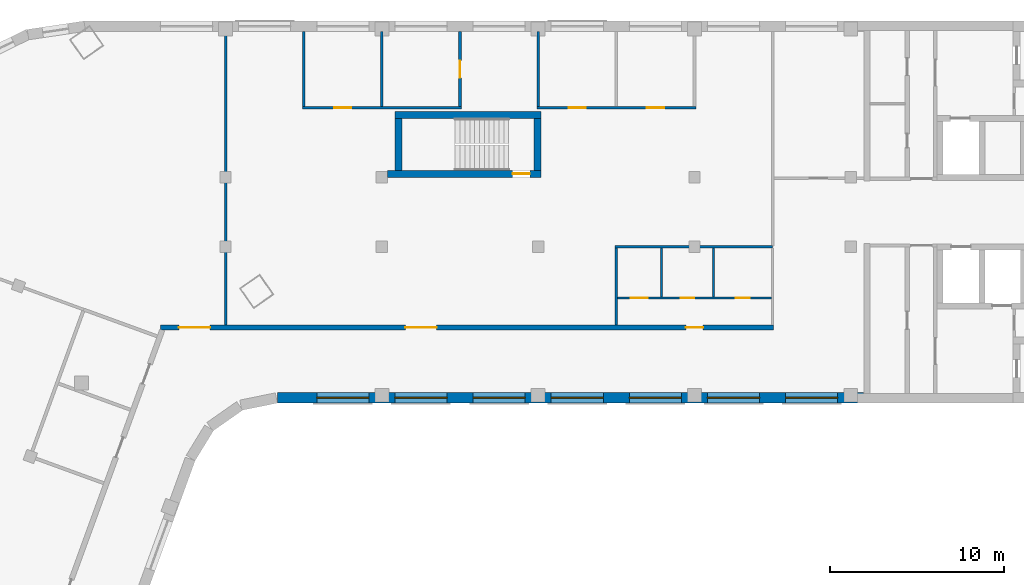
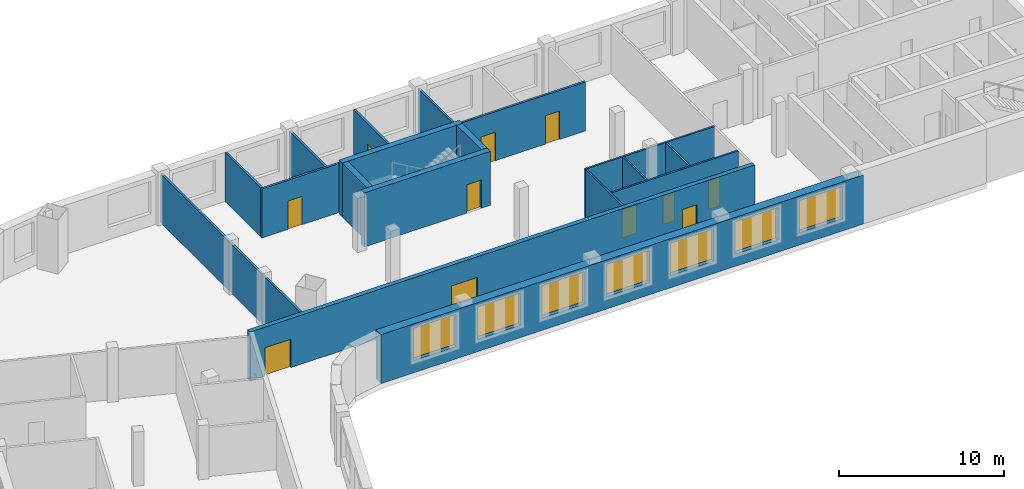
# One storey, part 4 of 8: 18 walls, 11 doors, 7 windows, 18 openings.
"""IFC4 building model written with IfcOpenShell, lengths in metres."""

from ifc_helpers import new_model, si_unit, direction, frame, frame_2d, origin, place, context, subcontext, project, spatial, rectangle, extrude, material, layer, layer_set, type_object, element, fill, save


model = new_model("IFC4")

# Units and contexts
model_context = context("Model", 3, precision=1e-05, world=origin(), true_north=direction((0.0, 1.0)))
body_context = subcontext(model_context, "Body", "Model", "MODEL_VIEW")
ifc_project = project(units=[si_unit("LENGTHUNIT", "METRE"), si_unit("AREAUNIT", "SQUARE_METRE"), si_unit("VOLUMEUNIT", "CUBIC_METRE"), si_unit("PLANEANGLEUNIT", "RADIAN"), si_unit("MASSUNIT", "GRAM", prefix="KILO")], contexts=[model_context])

# Site, building, storey
site_placement = place(None, origin())
site = spatial("IfcSite", under=ifc_project, at=site_placement, CompositionType="ELEMENT")
building_placement = place(site_placement, origin())
building = spatial("IfcBuilding", under=site, at=building_placement, Name="Skarvind Civic Tower", CompositionType="ELEMENT")
storey_placement = place(building_placement, frame((0.0, 0.0, 134.5)))
storey = spatial("IfcBuildingStorey", under=building, at=storey_placement, Name="L31", CompositionType="ELEMENT", Elevation=134.5)

# Wall, openings, doors
ifc_material_1 = material(Name="Fire-rated gypsum board on steel studs", Category="steel")
ifc_layer_1 = layer(ifc_material_1, 0.300048828125)
ifc_layer_set_1 = layer_set([ifc_layer_1], Name="CORRIDOR WALL 300")
wall_type_1 = type_object("IfcWallType", Name="CORRIDOR WALL 300", PredefinedType="PARTITIONING", material=ifc_layer_set_1)
wall_1_placement = place(storey_placement, frame((50.506103515625, 121.35009765625, 0.0), z_axis=(0.0, 0.0, 1.0), x_axis=(1.0, 0.0, 0.0)))
wall_1 = element("IfcWall", 1, at=wall_1_placement, inside=storey, type_object=wall_type_1, Name="Partition 31.014", PredefinedType="PARTITIONING", context=body_context, shape_type="SweptSolid", body=[
    extrude(rectangle(XDim=35.305908203125, YDim=0.300048828125, at=frame_2d((17.65283203125, 0.0))), origin(), (0.0, 0.0, 1.0), 3.625),
])
opening_1_placement = place(wall_1_placement, frame((30.243896484375, 0.0, 0.0)))
opening_1 = element("IfcOpeningElement", 2, at=opening_1_placement, cuts=wall_1, Name="Opening L31-D002", PredefinedType="OPENING", context=body_context, shape_type="SweptSolid", body=[
    extrude(rectangle(XDim=1.0, YDim=2.10009765625, at=frame_2d((0.5, 1.050048828125))), frame((0.0, 0.159912109375, 0.0), z_axis=(0.0, -1.0, 0.0), x_axis=(1.0, 0.0, 0.0)), (0.0, 0.0, 1.0), 0.320068359375),
])
opening_2_placement = place(wall_1_placement, frame((14.093994140625, 0.0, 0.0)))
opening_2 = element("IfcOpeningElement", 3, at=opening_2_placement, cuts=wall_1, Name="Opening L31-D010", PredefinedType="OPENING", context=body_context, shape_type="SweptSolid", body=[
    extrude(rectangle(XDim=1.800048828125, YDim=2.10009765625, at=frame_2d((0.89990234375, 1.050048828125))), frame((0.0, 0.159912109375, 0.0), z_axis=(0.0, -1.0, 0.0), x_axis=(1.0, 0.0, 0.0)), (0.0, 0.0, 1.0), 0.320068359375),
])
opening_3_placement = place(wall_1_placement, frame((1.047119140625, 0.0, 0.0)))
opening_3 = element("IfcOpeningElement", 4, at=opening_3_placement, cuts=wall_1, Name="Opening L31-D017", PredefinedType="OPENING", context=body_context, shape_type="SweptSolid", body=[
    extrude(rectangle(XDim=1.800048828125, YDim=2.10009765625, at=frame_2d((0.89990234375, 1.050048828125))), frame((0.0, 0.159912109375, 0.0), z_axis=(0.0, -1.0, 0.0), x_axis=(1.0, 0.0, 0.0)), (0.0, 0.0, 1.0), 0.320068359375),
])
ifc_material_2 = material(Name="Fire-rated timber door leaf", Category="wood")
door_type_1 = type_object("IfcDoorType", Name="FD1 1000x2100", OperationType="NOTDEFINED", PredefinedType="DOOR", material=ifc_material_2)
door_1_placement = place(opening_1_placement, origin())
door_1 = element("IfcDoor", 5, at=door_1_placement, inside=storey, type_object=door_type_1, Name="Door L31-D002", OperationType="SINGLE_SWING_LEFT", OverallHeight=2.10009765625, OverallWidth=1.0, PredefinedType="DOOR", context=body_context, shape_type="SweptSolid", body=[
    extrude(rectangle(XDim=1.0, YDim=2.10009765625, at=frame_2d((0.5, 1.050048828125))), frame((0.0, 0.02490234375, 0.0), z_axis=(0.0, -1.0, 0.0), x_axis=(1.0, 0.0, 0.0)), (0.0, 0.0, 1.0), 0.050048828125),
])
fill(opening_1, door_1)
door_type_2 = type_object("IfcDoorType", Name="FD4 1800x2100", OperationType="NOTDEFINED", PredefinedType="DOOR", material=ifc_material_2)
door_2_placement = place(opening_2_placement, origin())
door_2 = element("IfcDoor", 6, at=door_2_placement, inside=storey, type_object=door_type_2, Name="Door L31-D010", OperationType="DOUBLE_DOOR_SINGLE_SWING", OverallHeight=2.10009765625, OverallWidth=1.800048828125, PredefinedType="DOOR", context=body_context, shape_type="SweptSolid", body=[
    extrude(rectangle(XDim=1.800048828125, YDim=2.10009765625, at=frame_2d((0.89990234375, 1.050048828125))), frame((0.0, 0.02490234375, 0.0), z_axis=(0.0, -1.0, 0.0), x_axis=(1.0, 0.0, 0.0)), (0.0, 0.0, 1.0), 0.050048828125),
])
fill(opening_2, door_2)
door_3_placement = place(opening_3_placement, origin())
door_3 = element("IfcDoor", 7, at=door_3_placement, inside=storey, type_object=door_type_2, Name="Door L31-D017", OperationType="DOUBLE_DOOR_SINGLE_SWING", OverallHeight=2.10009765625, OverallWidth=1.800048828125, PredefinedType="DOOR", context=body_context, shape_type="SweptSolid", body=[
    extrude(rectangle(XDim=1.800048828125, YDim=2.10009765625, at=frame_2d((0.89990234375, 1.050048828125))), frame((0.0, 0.02490234375, 0.0), z_axis=(0.0, -1.0, 0.0), x_axis=(1.0, 0.0, 0.0)), (0.0, 0.0, 1.0), 0.050048828125),
])
fill(opening_3, door_3)

# Wall, opening, door
ifc_material_3 = material(Name="Concrete C60", Category="concrete")
ifc_layer_2 = layer(ifc_material_3, 0.39990234375)
ifc_layer_set_2 = layer_set([ifc_layer_2], Name="Core wall 400 C60")
wall_type_2 = type_object("IfcWallType", Name="Core wall 400 C60", PredefinedType="SHEAR", material=ifc_layer_set_2)
wall_2_placement = place(storey_placement, frame((63.574951171875, 130.199951171875, 0.0), z_axis=(0.0, 0.0, 1.0), x_axis=(1.0, 0.0, 0.0)))
wall_2 = element("IfcWall", 8, at=wall_2_placement, inside=storey, type_object=wall_type_2, Name="Core wall CM inner L31", PredefinedType="SHEAR", context=body_context, shape_type="SweptSolid", body=[
    extrude(rectangle(XDim=8.824951171875, YDim=0.39990234375, at=frame_2d((4.41259765625, 0.0))), origin(), (0.0, 0.0, 1.0), 4.0),
])
opening_4_placement = place(wall_2_placement, frame((7.199951171875, 0.0, 0.0)))
opening_4 = element("IfcOpeningElement", 9, at=opening_4_placement, cuts=wall_2, Name="Opening D-L31-CM-01", PredefinedType="OPENING", context=body_context, shape_type="SweptSolid", body=[
    extrude(rectangle(XDim=1.0, YDim=2.10009765625, at=frame_2d((0.5, 1.050048828125))), frame((0.0, 0.2099609375, 0.0), z_axis=(0.0, -1.0, 0.0), x_axis=(1.0, 0.0, 0.0)), (0.0, 0.0, 1.0), 0.419921875),
])
ifc_material_4 = material(Name="Fire-rated steel door", Category="steel")
door_type_3 = type_object("IfcDoorType", Name="Fire door 1000", OperationType="NOTDEFINED", PredefinedType="DOOR", material=ifc_material_4)
door_4_placement = place(opening_4_placement, origin())
door_4 = element("IfcDoor", 10, at=door_4_placement, inside=storey, type_object=door_type_3, Name="Fire door", OperationType="SINGLE_SWING_LEFT", OverallHeight=2.10009765625, OverallWidth=1.0, PredefinedType="DOOR", context=body_context, shape_type="SweptSolid", body=[
    extrude(rectangle(XDim=1.0, YDim=2.10009765625, at=frame_2d((0.5, 1.050048828125))), frame((0.0, 0.02490234375, 0.0), z_axis=(0.0, -1.0, 0.0), x_axis=(1.0, 0.0, 0.0)), (0.0, 0.0, 1.0), 0.050048828125),
])
fill(opening_4, door_4)

# Walls
wall_3_placement = place(storey_placement, frame((64.0, 133.60009765625, 0.0), z_axis=(0.0, 0.0, 1.0), x_axis=(1.0, 0.0, 0.0)))
element("IfcWall", 11, at=wall_3_placement, inside=storey, type_object=wall_type_2, Name="Core wall CM outer L31", PredefinedType="SHEAR", context=body_context, shape_type="SweptSolid", body=[
    extrude(rectangle(XDim=8.39990234375, YDim=0.39990234375, at=frame_2d((4.199951171875, 0.0))), origin(), (0.0, 0.0, 1.0), 4.0),
])
for number, where, z_axis, x_axis, name in (
    (12, (64.199951171875, 130.39990234375, 0.0), (0.0, 0.0, 1.0), (0.0, 1.0, 0.0), "Core wall CM west L31"),
    (13, (72.199951171875, 130.39990234375, 0.0), (0.0, 0.0, 1.0), (0.0, 1.0, 0.0), "Core wall CM end L31"),
):
    element("IfcWall", number, at=place(storey_placement, frame(where, z_axis=z_axis, x_axis=x_axis)), inside=storey, type_object=wall_type_2, Name=name, PredefinedType="SHEAR", context=body_context, shape_type="SweptSolid", body=[
        extrude(rectangle(XDim=3.0, YDim=0.39990234375, at=frame_2d((1.5, 0.0))), origin(), (0.0, 0.0, 1.0), 4.0),
    ])
ifc_material_5 = material(Name="Plasterboard partition on steel studs", Category="steel")
ifc_layer_3 = layer(ifc_material_5, 0.14990234375)
ifc_layer_set_3 = layer_set([ifc_layer_3], Name="PARTITION 150")
wall_type_3 = type_object("IfcWallType", Name="PARTITION 150", PredefinedType="PARTITIONING", material=ifc_layer_set_3)
wall_4_placement = place(storey_placement, frame((54.25, 138.39990234375, 0.0), z_axis=(0.0, 0.0, 1.0), x_axis=(0.0, -1.0, 0.0)))
element("IfcWall", 14, at=wall_4_placement, inside=storey, type_object=wall_type_3, Name="Partition 31.015", PredefinedType="PARTITIONING", context=body_context, shape_type="SweptSolid", body=[
    extrude(rectangle(XDim=16.89990234375, YDim=0.14990234375, at=frame_2d((8.449951171875, 0.0))), origin(), (0.0, 0.0, 1.0), 3.625),
])
wall_5_placement = place(storey_placement, frame((58.75, 134.074951171875, 0.0), z_axis=(0.0, 0.0, 1.0), x_axis=(0.0, 1.0, 0.0)))
element("IfcWall", 15, at=wall_5_placement, inside=storey, type_object=wall_type_3, Name="Partition 31.016", PredefinedType="PARTITIONING", context=body_context, shape_type="SweptSolid", body=[
    extrude(rectangle(XDim=4.324951171875, YDim=0.14990234375, at=frame_2d((2.16259765625, 0.0))), origin(), (0.0, 0.0, 1.0), 3.625),
])

# Wall, opening, door
wall_6_placement = place(storey_placement, frame((67.824951171875, 134.0, 0.0), z_axis=(0.0, 0.0, 1.0), x_axis=(-1.0, 0.0, 0.0)))
wall_6 = element("IfcWall", 16, at=wall_6_placement, inside=storey, type_object=wall_type_3, Name="Partition 31.017", PredefinedType="PARTITIONING", context=body_context, shape_type="SweptSolid", body=[
    extrude(rectangle(XDim=9.14990234375, YDim=0.14990234375, at=frame_2d((4.574951171875, 0.0))), origin(), (0.0, 0.0, 1.0), 3.625),
])
opening_5_placement = place(wall_6_placement, frame((6.324951171875, 0.0, 0.0)))
opening_5 = element("IfcOpeningElement", 17, at=opening_5_placement, cuts=wall_6, Name="Opening L31-D009", PredefinedType="OPENING", context=body_context, shape_type="SweptSolid", body=[
    extrude(rectangle(XDim=1.0, YDim=2.10009765625, at=frame_2d((0.5, 1.050048828125))), frame((0.0, 0.0849609375, 0.0), z_axis=(0.0, -1.0, 0.0), x_axis=(1.0, 0.0, 0.0)), (0.0, 0.0, 1.0), 0.169921875),
])
ifc_material_6 = material(Name="Timber door leaf", Category="wood")
door_type_4 = type_object("IfcDoorType", Name="D1 1000x2100", OperationType="NOTDEFINED", PredefinedType="DOOR", material=ifc_material_6)
door_5_placement = place(opening_5_placement, origin())
door_5 = element("IfcDoor", 18, at=door_5_placement, inside=storey, type_object=door_type_4, Name="Door L31-D009", OperationType="SINGLE_SWING_RIGHT", OverallHeight=2.10009765625, OverallWidth=1.0, PredefinedType="DOOR", context=body_context, shape_type="SweptSolid", body=[
    extrude(rectangle(XDim=1.0, YDim=2.10009765625, at=frame_2d((0.5, 1.050048828125))), frame((0.0, 0.02490234375, 0.0), z_axis=(0.0, -1.0, 0.0), x_axis=(1.0, 0.0, 0.0)), (0.0, 0.0, 1.0), 0.050048828125),
])
fill(opening_5, door_5)

# Wall
wall_7_placement = place(storey_placement, frame((63.25, 134.074951171875, 0.0), z_axis=(0.0, 0.0, 1.0), x_axis=(0.0, 1.0, 0.0)))
element("IfcWall", 19, at=wall_7_placement, inside=storey, type_object=wall_type_3, Name="Partition 31.018", PredefinedType="PARTITIONING", context=body_context, shape_type="SweptSolid", body=[
    extrude(rectangle(XDim=4.324951171875, YDim=0.14990234375, at=frame_2d((2.16259765625, 0.0))), origin(), (0.0, 0.0, 1.0), 3.625),
])

# Wall, opening, door
wall_8_placement = place(storey_placement, frame((67.75, 138.39990234375, 0.0), z_axis=(0.0, 0.0, 1.0), x_axis=(0.0, -1.0, 0.0)))
wall_8 = element("IfcWall", 20, at=wall_8_placement, inside=storey, type_object=wall_type_3, Name="Partition 31.019", PredefinedType="PARTITIONING", context=body_context, shape_type="SweptSolid", body=[
    extrude(rectangle(XDim=4.324951171875, YDim=0.14990234375, at=frame_2d((2.16259765625, 0.0))), origin(), (0.0, 0.0, 1.0), 3.625),
])
opening_6_placement = place(wall_8_placement, frame((1.672607421875, 0.0, 0.0)))
opening_6 = element("IfcOpeningElement", 21, at=opening_6_placement, cuts=wall_8, Name="Opening L31-D008", PredefinedType="OPENING", context=body_context, shape_type="SweptSolid", body=[
    extrude(rectangle(XDim=1.0, YDim=2.10009765625, at=frame_2d((0.5, 1.050048828125))), frame((0.0, 0.0849609375, 0.0), z_axis=(0.0, -1.0, 0.0), x_axis=(1.0, 0.0, 0.0)), (0.0, 0.0, 1.0), 0.169921875),
])
door_6_placement = place(opening_6_placement, origin())
door_6 = element("IfcDoor", 22, at=door_6_placement, inside=storey, type_object=door_type_4, Name="Door L31-D008", OperationType="SINGLE_SWING_LEFT", OverallHeight=2.10009765625, OverallWidth=1.0, PredefinedType="DOOR", context=body_context, shape_type="SweptSolid", body=[
    extrude(rectangle(XDim=1.0, YDim=2.10009765625, at=frame_2d((0.5, 1.050048828125))), frame((0.0, 0.02490234375, 0.0), z_axis=(0.0, -1.0, 0.0), x_axis=(1.0, 0.0, 0.0)), (0.0, 0.0, 1.0), 0.050048828125),
])
fill(opening_6, door_6)

# Wall
wall_9_placement = place(storey_placement, frame((72.25, 134.074951171875, 0.0), z_axis=(0.0, 0.0, 1.0), x_axis=(0.0, 1.0, 0.0)))
element("IfcWall", 23, at=wall_9_placement, inside=storey, type_object=wall_type_3, Name="Partition 31.020", PredefinedType="PARTITIONING", context=body_context, shape_type="SweptSolid", body=[
    extrude(rectangle(XDim=4.324951171875, YDim=0.14990234375, at=frame_2d((2.16259765625, 0.0))), origin(), (0.0, 0.0, 1.0), 3.625),
])

# Wall, openings, doors
wall_10_placement = place(storey_placement, frame((81.324951171875, 134.0, 0.0), z_axis=(0.0, 0.0, 1.0), x_axis=(-1.0, 0.0, 0.0)))
wall_10 = element("IfcWall", 24, at=wall_10_placement, inside=storey, type_object=wall_type_3, Name="Partition 31.021", PredefinedType="PARTITIONING", context=body_context, shape_type="SweptSolid", body=[
    extrude(rectangle(XDim=9.14990234375, YDim=0.14990234375, at=frame_2d((4.574951171875, 0.0))), origin(), (0.0, 0.0, 1.0), 3.625),
])
opening_7_placement = place(wall_10_placement, frame((1.824951171875, 0.0, 0.0)))
opening_7 = element("IfcOpeningElement", 25, at=opening_7_placement, cuts=wall_10, Name="Opening L31-D006", PredefinedType="OPENING", context=body_context, shape_type="SweptSolid", body=[
    extrude(rectangle(XDim=1.0, YDim=2.10009765625, at=frame_2d((0.5, 1.050048828125))), frame((0.0, 0.0849609375, 0.0), z_axis=(0.0, -1.0, 0.0), x_axis=(1.0, 0.0, 0.0)), (0.0, 0.0, 1.0), 0.169921875),
])
opening_8_placement = place(wall_10_placement, frame((6.324951171875, 0.0, 0.0)))
opening_8 = element("IfcOpeningElement", 26, at=opening_8_placement, cuts=wall_10, Name="Opening L31-D007", PredefinedType="OPENING", context=body_context, shape_type="SweptSolid", body=[
    extrude(rectangle(XDim=1.0, YDim=2.10009765625, at=frame_2d((0.5, 1.050048828125))), frame((0.0, 0.0849609375, 0.0), z_axis=(0.0, -1.0, 0.0), x_axis=(1.0, 0.0, 0.0)), (0.0, 0.0, 1.0), 0.169921875),
])
door_7_placement = place(opening_7_placement, origin())
door_7 = element("IfcDoor", 27, at=door_7_placement, inside=storey, type_object=door_type_4, Name="Door L31-D006", OperationType="SINGLE_SWING_LEFT", OverallHeight=2.10009765625, OverallWidth=1.0, PredefinedType="DOOR", context=body_context, shape_type="SweptSolid", body=[
    extrude(rectangle(XDim=1.0, YDim=2.10009765625, at=frame_2d((0.5, 1.050048828125))), frame((0.0, 0.02490234375, 0.0), z_axis=(0.0, -1.0, 0.0), x_axis=(1.0, 0.0, 0.0)), (0.0, 0.0, 1.0), 0.050048828125),
])
fill(opening_7, door_7)
door_8_placement = place(opening_8_placement, origin())
door_8 = element("IfcDoor", 28, at=door_8_placement, inside=storey, type_object=door_type_4, Name="Door L31-D007", OperationType="SINGLE_SWING_RIGHT", OverallHeight=2.10009765625, OverallWidth=1.0, PredefinedType="DOOR", context=body_context, shape_type="SweptSolid", body=[
    extrude(rectangle(XDim=1.0, YDim=2.10009765625, at=frame_2d((0.5, 1.050048828125))), frame((0.0, 0.02490234375, 0.0), z_axis=(0.0, -1.0, 0.0), x_axis=(1.0, 0.0, 0.0)), (0.0, 0.0, 1.0), 0.050048828125),
])
fill(opening_8, door_8)

# Wall
ifc_material_7 = material(Name="Moisture-resistant gypsum board on steel studs", Category="steel")
ifc_layer_4 = layer(ifc_material_7, 0.125)
ifc_layer_set_4 = layer_set([ifc_layer_4], Name="WC PARTITION 125")
wall_type_4 = type_object("IfcWallType", Name="WC PARTITION 125", PredefinedType="PARTITIONING", material=ifc_layer_set_4)
wall_11_placement = place(storey_placement, frame((76.75, 121.5, 0.0), z_axis=(0.0, 0.0, 1.0), x_axis=(0.0, 1.0, 0.0)))
element("IfcWall", 29, at=wall_11_placement, inside=storey, type_object=wall_type_4, Name="Partition 31.022", PredefinedType="PARTITIONING", context=body_context, shape_type="SweptSolid", body=[
    extrude(rectangle(XDim=4.43798828125, YDim=0.125, at=frame_2d((2.218994140625, 0.0))), origin(), (0.0, 0.0, 1.0), 3.625),
])

# Wall, openings, doors
wall_12_placement = place(storey_placement, frame((76.81201171875, 123.050048828125, 0.0), z_axis=(0.0, 0.0, 1.0), x_axis=(1.0, 0.0, 0.0)))
wall_12 = element("IfcWall", 30, at=wall_12_placement, inside=storey, type_object=wall_type_4, Name="Partition 31.023", PredefinedType="PARTITIONING", context=body_context, shape_type="SweptSolid", body=[
    extrude(rectangle(XDim=8.8759765625, YDim=0.125, at=frame_2d((4.43798828125, 0.0))), origin(), (0.0, 0.0, 1.0), 3.625),
])
opening_9_placement = place(wall_12_placement, frame((6.81689453125, 0.0, 0.0)))
opening_9 = element("IfcOpeningElement", 31, at=opening_9_placement, cuts=wall_12, Name="Opening L31-D003", PredefinedType="OPENING", context=body_context, shape_type="SweptSolid", body=[
    extrude(rectangle(XDim=0.800048828125, YDim=2.10009765625, at=frame_2d((0.39990234375, 1.050048828125))), frame((0.0, 0.072509765625, 0.0), z_axis=(0.0, -1.0, 0.0), x_axis=(1.0, 0.0, 0.0)), (0.0, 0.0, 1.0), 0.14501953125),
])
opening_10_placement = place(wall_12_placement, frame((3.637939453125, 0.0, 0.0)))
opening_10 = element("IfcOpeningElement", 32, at=opening_10_placement, cuts=wall_12, Name="Opening L31-D004", PredefinedType="OPENING", context=body_context, shape_type="SweptSolid", body=[
    extrude(rectangle(XDim=0.800048828125, YDim=2.10009765625, at=frame_2d((0.39990234375, 1.050048828125))), frame((0.0, 0.072509765625, 0.0), z_axis=(0.0, -1.0, 0.0), x_axis=(1.0, 0.0, 0.0)), (0.0, 0.0, 1.0), 0.14501953125),
])
opening_11_placement = place(wall_12_placement, frame((0.759033203125, 0.0, 0.0)))
opening_11 = element("IfcOpeningElement", 33, at=opening_11_placement, cuts=wall_12, Name="Opening L31-D005", PredefinedType="OPENING", context=body_context, shape_type="SweptSolid", body=[
    extrude(rectangle(XDim=1.0, YDim=2.10009765625, at=frame_2d((0.5, 1.050048828125))), frame((0.0, 0.072509765625, 0.0), z_axis=(0.0, -1.0, 0.0), x_axis=(1.0, 0.0, 0.0)), (0.0, 0.0, 1.0), 0.14501953125),
])
door_9_placement = place(opening_11_placement, origin())
door_9 = element("IfcDoor", 34, at=door_9_placement, inside=storey, type_object=door_type_4, Name="Door L31-D005", OperationType="SINGLE_SWING_LEFT", OverallHeight=2.10009765625, OverallWidth=1.0, PredefinedType="DOOR", context=body_context, shape_type="SweptSolid", body=[
    extrude(rectangle(XDim=1.0, YDim=2.10009765625, at=frame_2d((0.5, 1.050048828125))), frame((0.0, 0.02490234375, 0.0), z_axis=(0.0, -1.0, 0.0), x_axis=(1.0, 0.0, 0.0)), (0.0, 0.0, 1.0), 0.050048828125),
])
fill(opening_11, door_9)
door_type_5 = type_object("IfcDoorType", Name="DOOR 800X2100 TIMBER", OperationType="NOTDEFINED", PredefinedType="DOOR", material=ifc_material_6)
door_10_placement = place(opening_9_placement, origin())
door_10 = element("IfcDoor", 35, at=door_10_placement, inside=storey, type_object=door_type_5, Name="Door L31-D003", OperationType="SINGLE_SWING_RIGHT", OverallHeight=2.10009765625, OverallWidth=0.800048828125, PredefinedType="DOOR", context=body_context, shape_type="SweptSolid", body=[
    extrude(rectangle(XDim=0.800048828125, YDim=2.10009765625, at=frame_2d((0.39990234375, 1.050048828125))), frame((0.0, 0.02490234375, 0.0), z_axis=(0.0, -1.0, 0.0), x_axis=(1.0, 0.0, 0.0)), (0.0, 0.0, 1.0), 0.050048828125),
])
fill(opening_9, door_10)
door_11_placement = place(opening_10_placement, origin())
door_11 = element("IfcDoor", 36, at=door_11_placement, inside=storey, type_object=door_type_5, Name="Door L31-D004", OperationType="SINGLE_SWING_LEFT", OverallHeight=2.10009765625, OverallWidth=0.800048828125, PredefinedType="DOOR", context=body_context, shape_type="SweptSolid", body=[
    extrude(rectangle(XDim=0.800048828125, YDim=2.10009765625, at=frame_2d((0.39990234375, 1.050048828125))), frame((0.0, 0.02490234375, 0.0), z_axis=(0.0, -1.0, 0.0), x_axis=(1.0, 0.0, 0.0)), (0.0, 0.0, 1.0), 0.050048828125),
])
fill(opening_10, door_11)

# Walls
wall_13_placement = place(storey_placement, frame((76.68798828125, 126.0, 0.0), z_axis=(0.0, 0.0, 1.0), x_axis=(1.0, 0.0, 0.0)))
element("IfcWall", 37, at=wall_13_placement, inside=storey, type_object=wall_type_4, Name="Partition 31.024", PredefinedType="PARTITIONING", context=body_context, shape_type="SweptSolid", body=[
    extrude(rectangle(XDim=9.06201171875, YDim=0.125, at=frame_2d((4.531005859375, 0.0))), origin(), (0.0, 0.0, 1.0), 3.625),
])
for number, where, z_axis, x_axis, name in (
    (38, (79.35009765625, 125.93798828125, 0.0), (0.0, 0.0, 1.0), (0.0, -1.0, 0.0), "Partition 31.026"),
    (39, (82.35009765625, 125.93798828125, 0.0), (0.0, 0.0, 1.0), (0.0, -1.0, 0.0), "Partition 31.028"),
):
    element("IfcWall", number, at=place(storey_placement, frame(where, z_axis=z_axis, x_axis=x_axis)), inside=storey, type_object=wall_type_4, Name=name, PredefinedType="PARTITIONING", context=body_context, shape_type="SweptSolid", body=[
        extrude(rectangle(XDim=2.825927734375, YDim=0.125, at=frame_2d((1.4130859375, 0.0))), origin(), (0.0, 0.0, 1.0), 3.625),
    ])

# Wall, openings, windows
ifc_material_8 = material(Name="Limestone masonry cladding on insulated backing", Category="masonry")
ifc_layer_5 = layer(ifc_material_8, 0.60009765625)
ifc_layer_set_5 = layer_set([ifc_layer_5], Name="WX1 STONE FACADE WALL 600")
wall_type_5 = type_object("IfcWallType", Name="WX1 STONE FACADE WALL 600", PredefinedType="SOLIDWALL", material=ifc_layer_set_5)
wall_14_placement = place(storey_placement, frame((90.97998046875, 117.300048828125, 0.0), z_axis=(0.0, 0.0, 1.0), x_axis=(-1.0, 0.0, 0.0)))
wall_14 = element("IfcWall", 40, at=wall_14_placement, inside=storey, type_object=wall_type_5, Name="STONE FACADE WALL", PredefinedType="SOLIDWALL", context=body_context, shape_type="SweptSolid", body=[
    extrude(rectangle(XDim=33.744873046875, YDim=0.60009765625, at=frame_2d((16.87255859375, 0.0))), origin(), (0.0, 0.0, 1.0), 3.625),
])
opening_12_placement = place(wall_14_placement, frame((1.47998046875, 0.0, 0.89990234375)))
opening_12 = element("IfcOpeningElement", 41, at=opening_12_placement, cuts=wall_14, Name="Opening WN1", PredefinedType="OPENING", context=body_context, shape_type="SweptSolid", body=[
    extrude(rectangle(XDim=3.0, YDim=2.39990234375, at=frame_2d((1.5, 1.199951171875))), frame((0.0, 0.31005859375, 0.0), z_axis=(0.0, -1.0, 0.0), x_axis=(1.0, 0.0, 0.0)), (0.0, 0.0, 1.0), 0.6201171875),
])
opening_13_placement = place(wall_14_placement, frame((5.97998046875, 0.0, 0.89990234375)))
opening_13 = element("IfcOpeningElement", 42, at=opening_13_placement, cuts=wall_14, Name="Opening WN1", PredefinedType="OPENING", context=body_context, shape_type="SweptSolid", body=[
    extrude(rectangle(XDim=3.0, YDim=2.39990234375, at=frame_2d((1.5, 1.199951171875))), frame((0.0, 0.31005859375, 0.0), z_axis=(0.0, -1.0, 0.0), x_axis=(1.0, 0.0, 0.0)), (0.0, 0.0, 1.0), 0.6201171875),
])
opening_14_placement = place(wall_14_placement, frame((10.47998046875, 0.0, 0.89990234375)))
opening_14 = element("IfcOpeningElement", 43, at=opening_14_placement, cuts=wall_14, Name="Opening WN1", PredefinedType="OPENING", context=body_context, shape_type="SweptSolid", body=[
    extrude(rectangle(XDim=3.0, YDim=2.39990234375, at=frame_2d((1.5, 1.199951171875))), frame((0.0, 0.31005859375, 0.0), z_axis=(0.0, -1.0, 0.0), x_axis=(1.0, 0.0, 0.0)), (0.0, 0.0, 1.0), 0.6201171875),
])
opening_15_placement = place(wall_14_placement, frame((14.97998046875, 0.0, 0.89990234375)))
opening_15 = element("IfcOpeningElement", 44, at=opening_15_placement, cuts=wall_14, Name="Opening WN1", PredefinedType="OPENING", context=body_context, shape_type="SweptSolid", body=[
    extrude(rectangle(XDim=3.0, YDim=2.39990234375, at=frame_2d((1.5, 1.199951171875))), frame((0.0, 0.31005859375, 0.0), z_axis=(0.0, -1.0, 0.0), x_axis=(1.0, 0.0, 0.0)), (0.0, 0.0, 1.0), 0.6201171875),
])
opening_16_placement = place(wall_14_placement, frame((19.47998046875, 0.0, 0.89990234375)))
opening_16 = element("IfcOpeningElement", 45, at=opening_16_placement, cuts=wall_14, Name="Opening WN1", PredefinedType="OPENING", context=body_context, shape_type="SweptSolid", body=[
    extrude(rectangle(XDim=3.0, YDim=2.39990234375, at=frame_2d((1.5, 1.199951171875))), frame((0.0, 0.31005859375, 0.0), z_axis=(0.0, -1.0, 0.0), x_axis=(1.0, 0.0, 0.0)), (0.0, 0.0, 1.0), 0.6201171875),
])
opening_17_placement = place(wall_14_placement, frame((23.97998046875, 0.0, 0.89990234375)))
opening_17 = element("IfcOpeningElement", 46, at=opening_17_placement, cuts=wall_14, Name="Opening WN1", PredefinedType="OPENING", context=body_context, shape_type="SweptSolid", body=[
    extrude(rectangle(XDim=3.0, YDim=2.39990234375, at=frame_2d((1.5, 1.199951171875))), frame((0.0, 0.31005859375, 0.0), z_axis=(0.0, -1.0, 0.0), x_axis=(1.0, 0.0, 0.0)), (0.0, 0.0, 1.0), 0.6201171875),
])
opening_18_placement = place(wall_14_placement, frame((28.47998046875, 0.0, 0.89990234375)))
opening_18 = element("IfcOpeningElement", 47, at=opening_18_placement, cuts=wall_14, Name="Opening WN1", PredefinedType="OPENING", context=body_context, shape_type="SweptSolid", body=[
    extrude(rectangle(XDim=3.0, YDim=2.39990234375, at=frame_2d((1.5, 1.199951171875))), frame((0.0, 0.31005859375, 0.0), z_axis=(0.0, -1.0, 0.0), x_axis=(1.0, 0.0, 0.0)), (0.0, 0.0, 1.0), 0.6201171875),
])
ifc_material_9 = material(Name="Timber frame, double glazing, timber-lined reveal", Category="wood")
window_type = type_object("IfcWindowType", Name="WN1 PUNCHED STONE WINDOW 3000 x 2400", PartitioningType="SINGLE_PANEL", PredefinedType="WINDOW", material=ifc_material_9)
window_1_placement = place(opening_12_placement, origin())
window_1 = element("IfcWindow", 48, at=window_1_placement, inside=storey, type_object=window_type, Name="WN1 WINDOW", OverallHeight=2.39990234375, OverallWidth=3.0, PartitioningType="SINGLE_PANEL", PredefinedType="WINDOW", context=body_context, shape_type="SweptSolid", body=[
    extrude(rectangle(XDim=3.0, YDim=2.39990234375, at=frame_2d((1.5, 1.199951171875))), frame((0.0, 0.030029296875, 0.0), z_axis=(0.0, -1.0, 0.0), x_axis=(1.0, 0.0, 0.0)), (0.0, 0.0, 1.0), 0.06005859375),
])
fill(opening_12, window_1)
window_2_placement = place(opening_13_placement, origin())
window_2 = element("IfcWindow", 49, at=window_2_placement, inside=storey, type_object=window_type, Name="WN1 WINDOW", OverallHeight=2.39990234375, OverallWidth=3.0, PartitioningType="SINGLE_PANEL", PredefinedType="WINDOW", context=body_context, shape_type="SweptSolid", body=[
    extrude(rectangle(XDim=3.0, YDim=2.39990234375, at=frame_2d((1.5, 1.199951171875))), frame((0.0, 0.030029296875, 0.0), z_axis=(0.0, -1.0, 0.0), x_axis=(1.0, 0.0, 0.0)), (0.0, 0.0, 1.0), 0.06005859375),
])
fill(opening_13, window_2)
window_3_placement = place(opening_14_placement, origin())
window_3 = element("IfcWindow", 50, at=window_3_placement, inside=storey, type_object=window_type, Name="WN1 WINDOW", OverallHeight=2.39990234375, OverallWidth=3.0, PartitioningType="SINGLE_PANEL", PredefinedType="WINDOW", context=body_context, shape_type="SweptSolid", body=[
    extrude(rectangle(XDim=3.0, YDim=2.39990234375, at=frame_2d((1.5, 1.199951171875))), frame((0.0, 0.030029296875, 0.0), z_axis=(0.0, -1.0, 0.0), x_axis=(1.0, 0.0, 0.0)), (0.0, 0.0, 1.0), 0.06005859375),
])
fill(opening_14, window_3)
window_4_placement = place(opening_15_placement, origin())
window_4 = element("IfcWindow", 51, at=window_4_placement, inside=storey, type_object=window_type, Name="WN1 WINDOW", OverallHeight=2.39990234375, OverallWidth=3.0, PartitioningType="SINGLE_PANEL", PredefinedType="WINDOW", context=body_context, shape_type="SweptSolid", body=[
    extrude(rectangle(XDim=3.0, YDim=2.39990234375, at=frame_2d((1.5, 1.199951171875))), frame((0.0, 0.030029296875, 0.0), z_axis=(0.0, -1.0, 0.0), x_axis=(1.0, 0.0, 0.0)), (0.0, 0.0, 1.0), 0.06005859375),
])
fill(opening_15, window_4)
window_5_placement = place(opening_16_placement, origin())
window_5 = element("IfcWindow", 52, at=window_5_placement, inside=storey, type_object=window_type, Name="WN1 WINDOW", OverallHeight=2.39990234375, OverallWidth=3.0, PartitioningType="SINGLE_PANEL", PredefinedType="WINDOW", context=body_context, shape_type="SweptSolid", body=[
    extrude(rectangle(XDim=3.0, YDim=2.39990234375, at=frame_2d((1.5, 1.199951171875))), frame((0.0, 0.030029296875, 0.0), z_axis=(0.0, -1.0, 0.0), x_axis=(1.0, 0.0, 0.0)), (0.0, 0.0, 1.0), 0.06005859375),
])
fill(opening_16, window_5)
window_6_placement = place(opening_17_placement, origin())
window_6 = element("IfcWindow", 53, at=window_6_placement, inside=storey, type_object=window_type, Name="WN1 WINDOW", OverallHeight=2.39990234375, OverallWidth=3.0, PartitioningType="SINGLE_PANEL", PredefinedType="WINDOW", context=body_context, shape_type="SweptSolid", body=[
    extrude(rectangle(XDim=3.0, YDim=2.39990234375, at=frame_2d((1.5, 1.199951171875))), frame((0.0, 0.030029296875, 0.0), z_axis=(0.0, -1.0, 0.0), x_axis=(1.0, 0.0, 0.0)), (0.0, 0.0, 1.0), 0.06005859375),
])
fill(opening_17, window_6)
window_7_placement = place(opening_18_placement, origin())
window_7 = element("IfcWindow", 54, at=window_7_placement, inside=storey, type_object=window_type, Name="WN1 WINDOW", OverallHeight=2.39990234375, OverallWidth=3.0, PartitioningType="SINGLE_PANEL", PredefinedType="WINDOW", context=body_context, shape_type="SweptSolid", body=[
    extrude(rectangle(XDim=3.0, YDim=2.39990234375, at=frame_2d((1.5, 1.199951171875))), frame((0.0, 0.030029296875, 0.0), z_axis=(0.0, -1.0, 0.0), x_axis=(1.0, 0.0, 0.0)), (0.0, 0.0, 1.0), 0.06005859375),
])
fill(opening_18, window_7)

save(model, "model.ifc")
